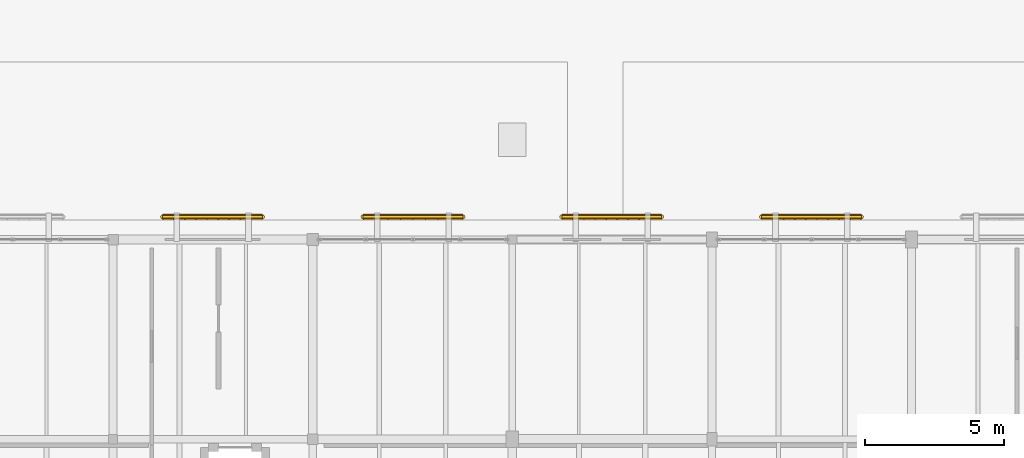
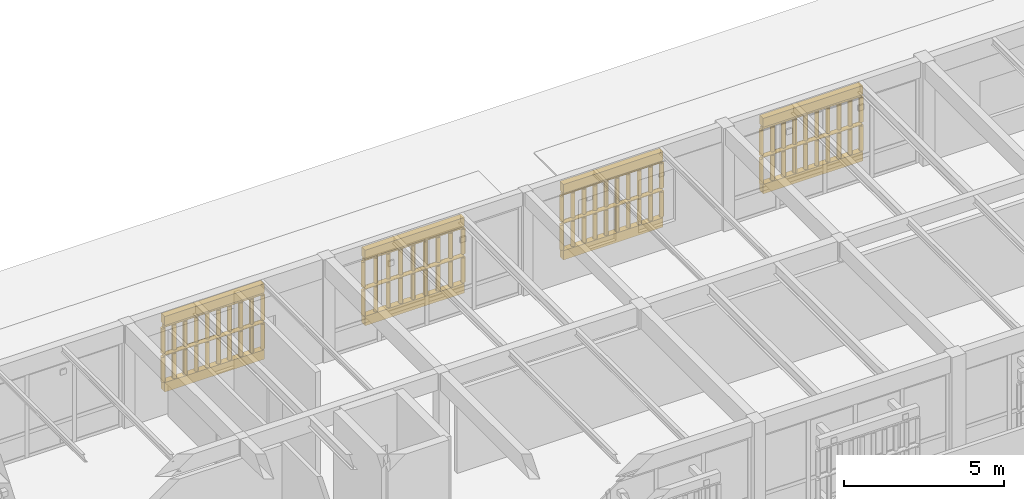
# One storey, part 110 of 112: 8 coverings, 8 railings.
"""IFC4 building model written with IfcOpenShell, lengths in metres."""

import ifcopenshell
import ifcopenshell.guid

model = None  # the IFC model being written
_history = None  # IfcOwnerHistory: only IFC2X3 demands one
_inside = {}  # id of a spatial element -> (the spatial element, [elements in it])
_under = {}  # id of a project, library or spatial element -> (it, [spatial elements below it])
_declared = {}  # id of a project -> (the project, [libraries it declares])
_typed = {}  # id of a type object -> (the type object, [elements of that type])
_made_of = {}  # id of a material, layer set ... -> (it, [elements and type objects made of it])


def new_model(schema):
    """Start an empty IFC model of exactly this schema.

    Asked for "IFC4X3", IfcOpenShell would pick the latest addendum, in which some entities
    have other attributes; the version numbers below select the first issue.
    IFC2X3 requires an IfcOwnerHistory on every rooted entity: one is made here for all.
    """
    global model, _history
    if schema == "IFC4X3":
        model = ifcopenshell.file(schema_version=(4, 3, 0, 0))
    else:
        model = ifcopenshell.file(schema=schema)
    _inside.clear()
    _under.clear()
    _declared.clear()
    _typed.clear()
    _made_of.clear()
    _history = None
    if model.schema == "IFC2X3":
        org = make("IfcOrganization", Name="unknown")
        user = make(
            "IfcPersonAndOrganization",
            ThePerson=make("IfcPerson", FamilyName="unknown"),
            TheOrganization=org,
        )
        app = make(
            "IfcApplication",
            ApplicationDeveloper=org,
            Version="unknown",
            ApplicationFullName="unknown",
            ApplicationIdentifier="unknown",
        )
        _history = make(
            "IfcOwnerHistory",
            OwningUser=user,
            OwningApplication=app,
            ChangeAction="ADDED",
            CreationDate=0,
        )
    return model


def make(cls, **values):
    """One entity of the class cls with the attributes given. An attribute that is None is left unset."""
    return model.create_entity(
        cls, **{name: value for name, value in values.items() if value is not None}
    )


def rooted(cls, **values):
    """An entity with a GlobalId (a new one), such as an element, a storey or a relation."""
    return make(cls, GlobalId=ifcopenshell.guid.new(), OwnerHistory=_history, **values)


def si_unit(unit_type, name, prefix=None):
    """IfcSIUnit, for example si_unit("LENGTHUNIT", "METRE", prefix="MILLI")."""
    return make("IfcSIUnit", UnitType=unit_type, Prefix=prefix, Name=name)


def assignment(units):
    """IfcUnitAssignment: the units of a project."""
    return None if units is None else make("IfcUnitAssignment", Units=units)


def point(xyz):
    """IfcCartesianPoint."""
    return None if xyz is None else make("IfcCartesianPoint", Coordinates=xyz)


def direction(xyz):
    """IfcDirection."""
    return None if xyz is None else make("IfcDirection", DirectionRatios=xyz)


def frame(location, z_axis=None, x_axis=None):
    """IfcAxis2Placement3D, a coordinate frame: its origin and axes. An axis left out is left unset."""
    return make(
        "IfcAxis2Placement3D",
        Location=point(location),
        Axis=direction(z_axis),
        RefDirection=direction(x_axis),
    )


def frame_2d(location, x_axis=None):
    """IfcAxis2Placement2D, a coordinate frame in the plane: its origin and x axis."""
    return make(
        "IfcAxis2Placement2D", Location=point(location), RefDirection=direction(x_axis)
    )


def origin():
    """The frame at (0, 0, 0) with its axes left unset."""
    return frame((0.0, 0.0, 0.0))


def origin_2d():
    """The frame at (0, 0) in the plane with its x axis left unset."""
    return frame_2d((0.0, 0.0))


def place(relative_to, where):
    """IfcLocalPlacement: puts the frame where relative to a parent placement (None: the world)."""
    return make(
        "IfcLocalPlacement", PlacementRelTo=relative_to, RelativePlacement=where
    )


def context(
    kind, dimensions, precision=None, world=None, true_north=None, identifier=None
):
    """IfcGeometricRepresentationContext, for example the 3D "Model" context."""
    return make(
        "IfcGeometricRepresentationContext",
        ContextIdentifier=identifier,
        ContextType=kind,
        CoordinateSpaceDimension=dimensions,
        Precision=precision,
        WorldCoordinateSystem=world,
        TrueNorth=true_north,
    )


def subcontext(parent, identifier, kind, view, scale=None):
    """IfcGeometricRepresentationSubContext, for example "Body" below "Model"."""
    return make(
        "IfcGeometricRepresentationSubContext",
        ContextIdentifier=identifier,
        ContextType=kind,
        ParentContext=parent,
        TargetScale=scale,
        TargetView=view,
    )


def project(units=None, contexts=None):
    """IfcProject with its units and contexts."""
    return rooted(
        "IfcProject",
        Name="project",
        RepresentationContexts=contexts,
        UnitsInContext=assignment(units),
    )


def spatial(cls, under=None, at=None, **own):
    """A site, building, storey or space (cls), placed at a placement, below another one or the project."""
    s = rooted(cls, ObjectPlacement=at, **own)
    if under is not None:
        _under.setdefault(under.id(), (under, []))[1].append(s)
    return s


def polyline(points):
    """IfcPolyline through the points."""
    return make("IfcPolyline", Points=[point(p) for p in points])


def profile(cls, at=None, kind="AREA", **sizes):
    """A parametric profile (cls). Its sizes go by their IFC names, for example OverallWidth=200.0."""
    return make(cls, ProfileType=kind, Position=at, **sizes)


def circle(**sizes):
    """IfcCircleProfileDef."""
    return profile("IfcCircleProfileDef", **sizes)


def outline(outer, holes=None, kind="AREA"):
    """IfcArbitraryClosedProfileDef: a profile drawn as a closed curve; with holes, ...WithVoids."""
    if holes is None:
        return make("IfcArbitraryClosedProfileDef", ProfileType=kind, OuterCurve=outer)
    return make(
        "IfcArbitraryProfileDefWithVoids",
        ProfileType=kind,
        OuterCurve=outer,
        InnerCurves=holes,
    )


def extrude(swept, where, along, depth):
    """IfcExtrudedAreaSolid: the profile swept, set in the frame where, extruded along a direction by depth."""
    return make(
        "IfcExtrudedAreaSolid",
        SweptArea=swept,
        Position=where,
        ExtrudedDirection=direction(along),
        Depth=depth,
    )


def shape(context_of_items, identifier, shape_type, items):
    """IfcShapeRepresentation: the items that make up one representation, for example the "Body"."""
    return make(
        "IfcShapeRepresentation",
        ContextOfItems=context_of_items,
        RepresentationIdentifier=identifier,
        RepresentationType=shape_type,
        Items=items,
    )


def material(Name=None, Category=None):
    """IfcMaterial."""
    return make("IfcMaterial", Name=Name, Category=Category)


def layer(
    of_material, thickness, ventilated=None, Name=None, Category=None, Priority=None
):
    """IfcMaterialLayer: one layer of a wall or slab, of a material (None: an air gap)."""
    return make(
        "IfcMaterialLayer",
        Material=of_material,
        LayerThickness=thickness,
        IsVentilated=ventilated,
        Name=Name,
        Category=Category,
        Priority=Priority,
    )


def layer_set(layers, Name=None):
    """IfcMaterialLayerSet."""
    return make("IfcMaterialLayerSet", MaterialLayers=layers, LayerSetName=Name)


def made_of(thing, what):
    """Note that an element or type object is made of a material, layer set ...; save() writes the relation."""
    if what is not None:
        _made_of.setdefault(what.id(), (what, []))[1].append(thing)
    return thing


def type_object(cls, material=None, **own):
    """A type object (cls), such as IfcWallType, which elements share."""
    return made_of(rooted(cls, **own), material)


def element(
    cls,
    number,
    at=None,
    inside=None,
    cuts=None,
    type_object=None,
    material=None,
    context=None,
    identifier="Body",
    shape_type=None,
    held_by="IfcProductDefinitionShape",
    body=None,
    shapes=None,
    **own,
):
    """One element of the class cls, such as IfcWall. Its Tag is "e" and its number.

    at: its placement. inside: the storey or other place that contains it. cuts: it is an
    opening in that element (IfcRelVoidsElement). A single representation is given by context,
    identifier, shape_type and body (its items); several are given by shapes. held_by: the class
    of the entity that holds the representations. save() writes the other relations.
    """
    e = rooted(cls, Tag="e%d" % number, ObjectPlacement=at, **own)
    if body is not None:
        shapes = [shape(context, identifier, shape_type, body)]
    if shapes is not None:
        e.Representation = make(held_by, Representations=shapes)
    if inside is not None:
        _inside.setdefault(inside.id(), (inside, []))[1].append(e)
    if cuts is not None:
        rooted(
            "IfcRelVoidsElement", RelatingBuildingElement=cuts, RelatedOpeningElement=e
        )
    if type_object is not None:
        _typed.setdefault(type_object.id(), (type_object, []))[1].append(e)
    return made_of(e, material)


def aggregate(whole, parts):
    """IfcRelAggregates: a whole, such as a stair, and the parts it consists of."""
    return rooted("IfcRelAggregates", RelatingObject=whole, RelatedObjects=parts)


def save(model, path):
    """Write the relations noted so far, then the file.

    IfcRelAggregates (storeys below a building ...), IfcRelContainedInSpatialStructure (elements
    in a storey), IfcRelDefinesByType, IfcRelAssociatesMaterial and IfcRelDeclares: one each for
    every whole, place, type object, material and project.
    """
    for whole, parts in _under.values():
        aggregate(whole, parts)
    for where, things in _inside.values():
        rooted(
            "IfcRelContainedInSpatialStructure",
            RelatedElements=things,
            RelatingStructure=where,
        )
    for kind, things in _typed.values():
        rooted("IfcRelDefinesByType", RelatedObjects=things, RelatingType=kind)
    for what, things in _made_of.values():
        rooted("IfcRelAssociatesMaterial", RelatedObjects=things, RelatingMaterial=what)
    for by, libraries in _declared.values():
        rooted("IfcRelDeclares", RelatingContext=by, RelatedDefinitions=libraries)
    model.write(path)


model = new_model("IFC4")

# Units and contexts
model_context = context("Model", 3, precision=1e-05, world=origin(), true_north=direction((0.0, 1.0)))
body_context = subcontext(model_context, "Body", "Model", "MODEL_VIEW")
ifc_project = project(units=[si_unit("LENGTHUNIT", "METRE"), si_unit("AREAUNIT", "SQUARE_METRE"), si_unit("VOLUMEUNIT", "CUBIC_METRE"), si_unit("PLANEANGLEUNIT", "RADIAN"), si_unit("MASSUNIT", "GRAM", prefix="KILO")], contexts=[model_context])

# Site, building, storey
site_placement = place(None, origin())
site = spatial("IfcSite", under=ifc_project, at=site_placement, CompositionType="ELEMENT")
building_placement = place(site_placement, origin())
building = spatial("IfcBuilding", under=site, at=building_placement, Name="Mazaris Harbour Polytechnic", CompositionType="ELEMENT")
storey_placement = place(building_placement, frame((0.0, 0.0, 13.800048828125)))
storey = spatial("IfcBuildingStorey", under=building, at=storey_placement, Name="L03", CompositionType="ELEMENT", Elevation=13.800048828125)

# Railings
ifc_material_1 = material(Name="Perforated Earth-Coloured Terracotta Block", Category="masonry")
railing_type = type_object("IfcRailingType", Name="Perforated Earth-Block Claustra Lattice 1040", PredefinedType="BALUSTRADE", material=ifc_material_1)
for number, where, name in (
    (1, (131.389892578125, 101.6201171875, 0.52001953125), "V5 L03 Lower Perforated Terracotta Block Screen 453"),
    (2, (131.389892578125, 101.6201171875, 1.60986328125), "V5 L03 Upper Perforated Terracotta Block Screen 453"),
):
    element("IfcRailing", number, at=place(storey_placement, frame(where)), inside=storey, type_object=railing_type, Name=name, PredefinedType="BALUSTRADE", context=body_context, shape_type="SweptSolid", body=[
        extrude(circle(Radius=0.06982421875, at=origin_2d()), frame((0.0, 0.0, 1.02001953125), z_axis=(1.0, 0.0, 0.0), x_axis=(0.0, 1.0, 0.0)), (0.0, 0.0, 1.0), 3.60009765625),
        extrude(circle(Radius=0.074951171875, at=origin_2d()), origin(), (0.0, 0.0, 1.0), 0.9501953125),
        extrude(circle(Radius=0.074951171875, at=origin_2d()), frame((0.39990234375, 0.0, 0.0)), (0.0, 0.0, 1.0), 0.9501953125),
        extrude(circle(Radius=0.074951171875, at=origin_2d()), frame((0.800048828125, 0.0, 0.0)), (0.0, 0.0, 1.0), 0.9501953125),
        extrude(circle(Radius=0.074951171875, at=origin_2d()), frame((1.199951171875, 0.0, 0.0)), (0.0, 0.0, 1.0), 0.9501953125),
        extrude(circle(Radius=0.074951171875, at=origin_2d()), frame((1.60009765625, 0.0, 0.0)), (0.0, 0.0, 1.0), 0.9501953125),
        extrude(circle(Radius=0.074951171875, at=origin_2d()), frame((2.0, 0.0, 0.0)), (0.0, 0.0, 1.0), 0.9501953125),
        extrude(circle(Radius=0.074951171875, at=origin_2d()), frame((2.400146484375, 0.0, 0.0)), (0.0, 0.0, 1.0), 0.9501953125),
        extrude(circle(Radius=0.074951171875, at=origin_2d()), frame((2.800048828125, 0.0, 0.0)), (0.0, 0.0, 1.0), 0.9501953125),
        extrude(circle(Radius=0.074951171875, at=origin_2d()), frame((3.2001953125, 0.0, 0.0)), (0.0, 0.0, 1.0), 0.9501953125),
        extrude(circle(Radius=0.074951171875, at=origin_2d()), frame((3.60009765625, 0.0, 0.0)), (0.0, 0.0, 1.0), 0.9501953125),
    ])
for number, where, name in (
    (3, (138.6201171875, 101.6201171875, 0.52001953125), "V5 L03 Lower Perforated Terracotta Block Screen 454"),
    (4, (138.6201171875, 101.6201171875, 1.60986328125), "V5 L03 Upper Perforated Terracotta Block Screen 454"),
):
    element("IfcRailing", number, at=place(storey_placement, frame(where)), inside=storey, type_object=railing_type, Name=name, PredefinedType="BALUSTRADE", context=body_context, shape_type="SweptSolid", body=[
        extrude(circle(Radius=0.06982421875, at=origin_2d()), frame((0.0, 0.0, 1.02001953125), z_axis=(1.0, 0.0, 0.0), x_axis=(0.0, 1.0, 0.0)), (0.0, 0.0, 1.0), 3.599853515625),
        extrude(circle(Radius=0.074951171875, at=origin_2d()), origin(), (0.0, 0.0, 1.0), 0.9501953125),
        extrude(circle(Radius=0.074951171875, at=origin_2d()), frame((0.449951171875, 0.0, 0.0)), (0.0, 0.0, 1.0), 0.9501953125),
        extrude(circle(Radius=0.074951171875, at=origin_2d()), frame((0.89990234375, 0.0, 0.0)), (0.0, 0.0, 1.0), 0.9501953125),
        extrude(circle(Radius=0.074951171875, at=origin_2d()), frame((1.349853515625, 0.0, 0.0)), (0.0, 0.0, 1.0), 0.9501953125),
        extrude(circle(Radius=0.074951171875, at=origin_2d()), frame((1.7998046875, 0.0, 0.0)), (0.0, 0.0, 1.0), 0.9501953125),
        extrude(circle(Radius=0.074951171875, at=origin_2d()), frame((2.25, 0.0, 0.0)), (0.0, 0.0, 1.0), 0.9501953125),
        extrude(circle(Radius=0.074951171875, at=origin_2d()), frame((2.699951171875, 0.0, 0.0)), (0.0, 0.0, 1.0), 0.9501953125),
        extrude(circle(Radius=0.074951171875, at=origin_2d()), frame((3.14990234375, 0.0, 0.0)), (0.0, 0.0, 1.0), 0.9501953125),
        extrude(circle(Radius=0.074951171875, at=origin_2d()), frame((3.599853515625, 0.0, 0.0)), (0.0, 0.0, 1.0), 0.9501953125),
    ])
for number, where, name in (
    (5, (145.784912109375, 101.6201171875, 0.52001953125), "V5 L03 Lower Perforated Terracotta Block Screen 455"),
    (6, (145.784912109375, 101.6201171875, 1.60986328125), "V5 L03 Upper Perforated Terracotta Block Screen 455"),
    (7, (152.989990234375, 101.6201171875, 0.52001953125), "V5 L03 Lower Perforated Terracotta Block Screen 456"),
    (8, (152.989990234375, 101.6201171875, 1.60986328125), "V5 L03 Upper Perforated Terracotta Block Screen 456"),
):
    element("IfcRailing", number, at=place(storey_placement, frame(where)), inside=storey, type_object=railing_type, Name=name, PredefinedType="BALUSTRADE", context=body_context, shape_type="SweptSolid", body=[
        extrude(circle(Radius=0.06982421875, at=origin_2d()), frame((0.0, 0.0, 1.02001953125), z_axis=(1.0, 0.0, 0.0), x_axis=(0.0, 1.0, 0.0)), (0.0, 0.0, 1.0), 3.60009765625),
        extrude(circle(Radius=0.074951171875, at=origin_2d()), origin(), (0.0, 0.0, 1.0), 0.9501953125),
        extrude(circle(Radius=0.074951171875, at=origin_2d()), frame((0.39990234375, 0.0, 0.0)), (0.0, 0.0, 1.0), 0.9501953125),
        extrude(circle(Radius=0.074951171875, at=origin_2d()), frame((0.800048828125, 0.0, 0.0)), (0.0, 0.0, 1.0), 0.9501953125),
        extrude(circle(Radius=0.074951171875, at=origin_2d()), frame((1.199951171875, 0.0, 0.0)), (0.0, 0.0, 1.0), 0.9501953125),
        extrude(circle(Radius=0.074951171875, at=origin_2d()), frame((1.60009765625, 0.0, 0.0)), (0.0, 0.0, 1.0), 0.9501953125),
        extrude(circle(Radius=0.074951171875, at=origin_2d()), frame((2.0, 0.0, 0.0)), (0.0, 0.0, 1.0), 0.9501953125),
        extrude(circle(Radius=0.074951171875, at=origin_2d()), frame((2.400146484375, 0.0, 0.0)), (0.0, 0.0, 1.0), 0.9501953125),
        extrude(circle(Radius=0.074951171875, at=origin_2d()), frame((2.800048828125, 0.0, 0.0)), (0.0, 0.0, 1.0), 0.9501953125),
        extrude(circle(Radius=0.074951171875, at=origin_2d()), frame((3.2001953125, 0.0, 0.0)), (0.0, 0.0, 1.0), 0.9501953125),
        extrude(circle(Radius=0.074951171875, at=origin_2d()), frame((3.60009765625, 0.0, 0.0)), (0.0, 0.0, 1.0), 0.9501953125),
    ])

# Coverings
ifc_material_2 = material(Name="Perforated Earth-Coloured Terracotta Block", Category="masonry")
ifc_layer = layer(ifc_material_2, 0.219970703125, Name="Perforated Earth-Coloured Terracotta Block")
ifc_layer_set = layer_set([ifc_layer], Name="Perforated Earth-Coloured Terracotta Block")
covering_type = type_object("IfcCoveringType", Name="Terracotta Screen Course Cladding 220", PredefinedType="CLADDING", material=ifc_layer_set)
covering_1_placement = place(storey_placement, frame((0.0, 0.0, 0.159912109375)))
element("IfcCovering", 9, at=covering_1_placement, inside=storey, type_object=covering_type, Name="V5 L03 Perforated Screen Sill Course 453", PredefinedType="CLADDING", context=body_context, shape_type="SweptSolid", body=[
    extrude(outline(polyline([(131.389892578125, 101.510009765625), (134.989990234375, 101.510009765625), (134.989990234375, 101.72998046875), (131.389892578125, 101.72998046875), (131.389892578125, 101.510009765625)])), origin(), (0.0, 0.0, 1.0), 0.360107421875),
])
covering_2_placement = place(storey_placement, frame((0.0, 0.0, 2.699951171875)))
element("IfcCovering", 10, at=covering_2_placement, inside=storey, type_object=covering_type, Name="V5 L03 Perforated Screen Lintel Course 453", PredefinedType="CLADDING", context=body_context, shape_type="SweptSolid", body=[
    extrude(outline(polyline([(131.389892578125, 101.510009765625), (134.989990234375, 101.510009765625), (134.989990234375, 101.72998046875), (131.389892578125, 101.72998046875), (131.389892578125, 101.510009765625)])), origin(), (0.0, 0.0, 1.0), 0.340087890625),
])
covering_3_placement = place(storey_placement, frame((0.0, 0.0, 0.159912109375)))
element("IfcCovering", 11, at=covering_3_placement, inside=storey, type_object=covering_type, Name="V5 L03 Perforated Screen Sill Course 454", PredefinedType="CLADDING", context=body_context, shape_type="SweptSolid", body=[
    extrude(outline(polyline([(138.6201171875, 101.510009765625), (142.219970703125, 101.510009765625), (142.219970703125, 101.72998046875), (138.6201171875, 101.72998046875), (138.6201171875, 101.510009765625)])), origin(), (0.0, 0.0, 1.0), 0.360107421875),
])
covering_4_placement = place(storey_placement, frame((0.0, 0.0, 2.699951171875)))
element("IfcCovering", 12, at=covering_4_placement, inside=storey, type_object=covering_type, Name="V5 L03 Perforated Screen Lintel Course 454", PredefinedType="CLADDING", context=body_context, shape_type="SweptSolid", body=[
    extrude(outline(polyline([(138.6201171875, 101.510009765625), (142.219970703125, 101.510009765625), (142.219970703125, 101.72998046875), (138.6201171875, 101.72998046875), (138.6201171875, 101.510009765625)])), origin(), (0.0, 0.0, 1.0), 0.340087890625),
])
covering_5_placement = place(storey_placement, frame((0.0, 0.0, 0.159912109375)))
element("IfcCovering", 13, at=covering_5_placement, inside=storey, type_object=covering_type, Name="V5 L03 Perforated Screen Sill Course 455", PredefinedType="CLADDING", context=body_context, shape_type="SweptSolid", body=[
    extrude(outline(polyline([(145.784912109375, 101.510009765625), (149.385009765625, 101.510009765625), (149.385009765625, 101.72998046875), (145.784912109375, 101.72998046875), (145.784912109375, 101.510009765625)])), origin(), (0.0, 0.0, 1.0), 0.360107421875),
])
covering_6_placement = place(storey_placement, frame((0.0, 0.0, 2.699951171875)))
element("IfcCovering", 14, at=covering_6_placement, inside=storey, type_object=covering_type, Name="V5 L03 Perforated Screen Lintel Course 455", PredefinedType="CLADDING", context=body_context, shape_type="SweptSolid", body=[
    extrude(outline(polyline([(145.784912109375, 101.510009765625), (149.385009765625, 101.510009765625), (149.385009765625, 101.72998046875), (145.784912109375, 101.72998046875), (145.784912109375, 101.510009765625)])), origin(), (0.0, 0.0, 1.0), 0.340087890625),
])
covering_7_placement = place(storey_placement, frame((0.0, 0.0, 0.159912109375)))
element("IfcCovering", 15, at=covering_7_placement, inside=storey, type_object=covering_type, Name="V5 L03 Perforated Screen Sill Course 456", PredefinedType="CLADDING", context=body_context, shape_type="SweptSolid", body=[
    extrude(outline(polyline([(152.989990234375, 101.510009765625), (156.590087890625, 101.510009765625), (156.590087890625, 101.72998046875), (152.989990234375, 101.72998046875), (152.989990234375, 101.510009765625)])), origin(), (0.0, 0.0, 1.0), 0.360107421875),
])
covering_8_placement = place(storey_placement, frame((0.0, 0.0, 2.699951171875)))
element("IfcCovering", 16, at=covering_8_placement, inside=storey, type_object=covering_type, Name="V5 L03 Perforated Screen Lintel Course 456", PredefinedType="CLADDING", context=body_context, shape_type="SweptSolid", body=[
    extrude(outline(polyline([(152.989990234375, 101.510009765625), (156.590087890625, 101.510009765625), (156.590087890625, 101.72998046875), (152.989990234375, 101.72998046875), (152.989990234375, 101.510009765625)])), origin(), (0.0, 0.0, 1.0), 0.340087890625),
])

save(model, "model.ifc")
